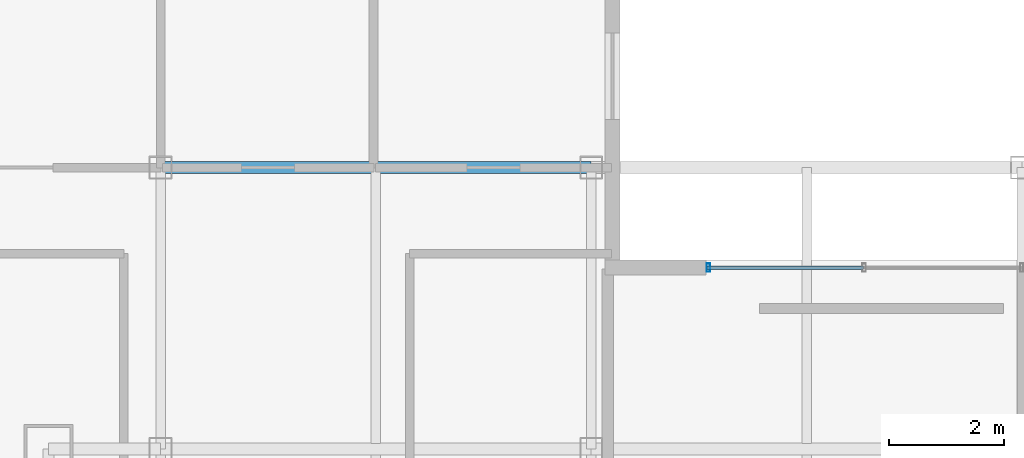
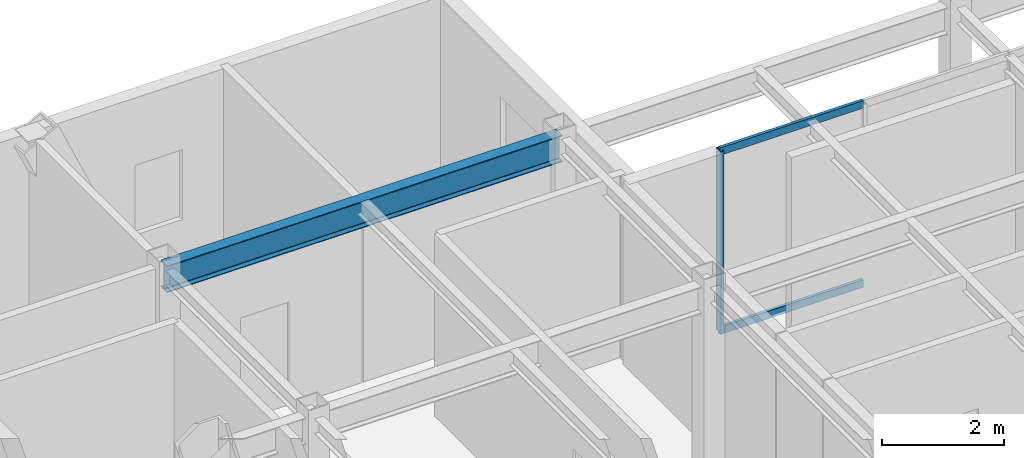
# One storey, part 2 of 10: 3 members, 1 beam, 1 element without a shape of its own.
"""IFC4 building model written with IfcOpenShell, lengths in metres."""

import ifcopenshell
import ifcopenshell.guid

model = None  # the IFC model being written
_history = None  # IfcOwnerHistory: only IFC2X3 demands one
_inside = {}  # id of a spatial element -> (the spatial element, [elements in it])
_under = {}  # id of a project, library or spatial element -> (it, [spatial elements below it])
_declared = {}  # id of a project -> (the project, [libraries it declares])
_typed = {}  # id of a type object -> (the type object, [elements of that type])
_made_of = {}  # id of a material, layer set ... -> (it, [elements and type objects made of it])


def new_model(schema):
    """Start an empty IFC model of exactly this schema.

    Asked for "IFC4X3", IfcOpenShell would pick the latest addendum, in which some entities
    have other attributes; the version numbers below select the first issue.
    IFC2X3 requires an IfcOwnerHistory on every rooted entity: one is made here for all.
    """
    global model, _history
    if schema == "IFC4X3":
        model = ifcopenshell.file(schema_version=(4, 3, 0, 0))
    else:
        model = ifcopenshell.file(schema=schema)
    _inside.clear()
    _under.clear()
    _declared.clear()
    _typed.clear()
    _made_of.clear()
    _history = None
    if model.schema == "IFC2X3":
        org = make("IfcOrganization", Name="unknown")
        user = make(
            "IfcPersonAndOrganization",
            ThePerson=make("IfcPerson", FamilyName="unknown"),
            TheOrganization=org,
        )
        app = make(
            "IfcApplication",
            ApplicationDeveloper=org,
            Version="unknown",
            ApplicationFullName="unknown",
            ApplicationIdentifier="unknown",
        )
        _history = make(
            "IfcOwnerHistory",
            OwningUser=user,
            OwningApplication=app,
            ChangeAction="ADDED",
            CreationDate=0,
        )
    return model


def make(cls, **values):
    """One entity of the class cls with the attributes given. An attribute that is None is left unset."""
    return model.create_entity(
        cls, **{name: value for name, value in values.items() if value is not None}
    )


def rooted(cls, **values):
    """An entity with a GlobalId (a new one), such as an element, a storey or a relation."""
    return make(cls, GlobalId=ifcopenshell.guid.new(), OwnerHistory=_history, **values)


def si_unit(unit_type, name, prefix=None):
    """IfcSIUnit, for example si_unit("LENGTHUNIT", "METRE", prefix="MILLI")."""
    return make("IfcSIUnit", UnitType=unit_type, Prefix=prefix, Name=name)


def assignment(units):
    """IfcUnitAssignment: the units of a project."""
    return None if units is None else make("IfcUnitAssignment", Units=units)


def point(xyz):
    """IfcCartesianPoint."""
    return None if xyz is None else make("IfcCartesianPoint", Coordinates=xyz)


def direction(xyz):
    """IfcDirection."""
    return None if xyz is None else make("IfcDirection", DirectionRatios=xyz)


def frame(location, z_axis=None, x_axis=None):
    """IfcAxis2Placement3D, a coordinate frame: its origin and axes. An axis left out is left unset."""
    return make(
        "IfcAxis2Placement3D",
        Location=point(location),
        Axis=direction(z_axis),
        RefDirection=direction(x_axis),
    )


def frame_2d(location, x_axis=None):
    """IfcAxis2Placement2D, a coordinate frame in the plane: its origin and x axis."""
    return make(
        "IfcAxis2Placement2D", Location=point(location), RefDirection=direction(x_axis)
    )


def origin():
    """The frame at (0, 0, 0) with its axes left unset."""
    return frame((0.0, 0.0, 0.0))


def origin_2d():
    """The frame at (0, 0) in the plane with its x axis left unset."""
    return frame_2d((0.0, 0.0))


def place(relative_to, where):
    """IfcLocalPlacement: puts the frame where relative to a parent placement (None: the world)."""
    return make(
        "IfcLocalPlacement", PlacementRelTo=relative_to, RelativePlacement=where
    )


def context(
    kind, dimensions, precision=None, world=None, true_north=None, identifier=None
):
    """IfcGeometricRepresentationContext, for example the 3D "Model" context."""
    return make(
        "IfcGeometricRepresentationContext",
        ContextIdentifier=identifier,
        ContextType=kind,
        CoordinateSpaceDimension=dimensions,
        Precision=precision,
        WorldCoordinateSystem=world,
        TrueNorth=true_north,
    )


def subcontext(parent, identifier, kind, view, scale=None):
    """IfcGeometricRepresentationSubContext, for example "Body" below "Model"."""
    return make(
        "IfcGeometricRepresentationSubContext",
        ContextIdentifier=identifier,
        ContextType=kind,
        ParentContext=parent,
        TargetScale=scale,
        TargetView=view,
    )


def project(units=None, contexts=None):
    """IfcProject with its units and contexts."""
    return rooted(
        "IfcProject",
        Name="project",
        RepresentationContexts=contexts,
        UnitsInContext=assignment(units),
    )


def spatial(cls, under=None, at=None, **own):
    """A site, building, storey or space (cls), placed at a placement, below another one or the project."""
    s = rooted(cls, ObjectPlacement=at, **own)
    if under is not None:
        _under.setdefault(under.id(), (under, []))[1].append(s)
    return s


def profile(cls, at=None, kind="AREA", **sizes):
    """A parametric profile (cls). Its sizes go by their IFC names, for example OverallWidth=200.0."""
    return make(cls, ProfileType=kind, Position=at, **sizes)


def hollow_rectangle(**sizes):
    """IfcRectangleHollowProfileDef."""
    return profile("IfcRectangleHollowProfileDef", **sizes)


def i_section(**sizes):
    """IfcIShapeProfileDef."""
    return profile("IfcIShapeProfileDef", **sizes)


def extrude(swept, where, along, depth):
    """IfcExtrudedAreaSolid: the profile swept, set in the frame where, extruded along a direction by depth."""
    return make(
        "IfcExtrudedAreaSolid",
        SweptArea=swept,
        Position=where,
        ExtrudedDirection=direction(along),
        Depth=depth,
    )


def shape(context_of_items, identifier, shape_type, items):
    """IfcShapeRepresentation: the items that make up one representation, for example the "Body"."""
    return make(
        "IfcShapeRepresentation",
        ContextOfItems=context_of_items,
        RepresentationIdentifier=identifier,
        RepresentationType=shape_type,
        Items=items,
    )


def material(Name=None, Category=None):
    """IfcMaterial."""
    return make("IfcMaterial", Name=Name, Category=Category)


def material_profile(
    of_material, cross_section, Name=None, Category=None, Priority=None
):
    """IfcMaterialProfile: a cross section and its material."""
    return make(
        "IfcMaterialProfile",
        Name=Name,
        Material=of_material,
        Profile=cross_section,
        Priority=Priority,
        Category=Category,
    )


def profile_set(profiles, Name=None, composite=None):
    """IfcMaterialProfileSet."""
    return make(
        "IfcMaterialProfileSet",
        Name=Name,
        MaterialProfiles=profiles,
        CompositeProfile=composite,
    )


def made_of(thing, what):
    """Note that an element or type object is made of a material, layer set ...; save() writes the relation."""
    if what is not None:
        _made_of.setdefault(what.id(), (what, []))[1].append(thing)
    return thing


def type_object(cls, material=None, **own):
    """A type object (cls), such as IfcWallType, which elements share."""
    return made_of(rooted(cls, **own), material)


def element(
    cls,
    number,
    at=None,
    inside=None,
    cuts=None,
    type_object=None,
    material=None,
    context=None,
    identifier="Body",
    shape_type=None,
    held_by="IfcProductDefinitionShape",
    body=None,
    shapes=None,
    **own,
):
    """One element of the class cls, such as IfcWall. Its Tag is "e" and its number.

    at: its placement. inside: the storey or other place that contains it. cuts: it is an
    opening in that element (IfcRelVoidsElement). A single representation is given by context,
    identifier, shape_type and body (its items); several are given by shapes. held_by: the class
    of the entity that holds the representations. save() writes the other relations.
    """
    e = rooted(cls, Tag="e%d" % number, ObjectPlacement=at, **own)
    if body is not None:
        shapes = [shape(context, identifier, shape_type, body)]
    if shapes is not None:
        e.Representation = make(held_by, Representations=shapes)
    if inside is not None:
        _inside.setdefault(inside.id(), (inside, []))[1].append(e)
    if cuts is not None:
        rooted(
            "IfcRelVoidsElement", RelatingBuildingElement=cuts, RelatedOpeningElement=e
        )
    if type_object is not None:
        _typed.setdefault(type_object.id(), (type_object, []))[1].append(e)
    return made_of(e, material)


def aggregate(whole, parts):
    """IfcRelAggregates: a whole, such as a stair, and the parts it consists of."""
    return rooted("IfcRelAggregates", RelatingObject=whole, RelatedObjects=parts)


def save(model, path):
    """Write the relations noted so far, then the file.

    IfcRelAggregates (storeys below a building ...), IfcRelContainedInSpatialStructure (elements
    in a storey), IfcRelDefinesByType, IfcRelAssociatesMaterial and IfcRelDeclares: one each for
    every whole, place, type object, material and project.
    """
    for whole, parts in _under.values():
        aggregate(whole, parts)
    for where, things in _inside.values():
        rooted(
            "IfcRelContainedInSpatialStructure",
            RelatedElements=things,
            RelatingStructure=where,
        )
    for kind, things in _typed.values():
        rooted("IfcRelDefinesByType", RelatedObjects=things, RelatingType=kind)
    for what, things in _made_of.values():
        rooted("IfcRelAssociatesMaterial", RelatedObjects=things, RelatingMaterial=what)
    for by, libraries in _declared.values():
        rooted("IfcRelDeclares", RelatingContext=by, RelatedDefinitions=libraries)
    model.write(path)


model = new_model("IFC4")

# Units and contexts
model_context = context("Model", 3, precision=1e-05, world=origin(), true_north=direction((0.0, 1.0)))
body_context = subcontext(model_context, "Body", "Model", "MODEL_VIEW")
ifc_project = project(units=[si_unit("LENGTHUNIT", "METRE"), si_unit("AREAUNIT", "SQUARE_METRE"), si_unit("VOLUMEUNIT", "CUBIC_METRE"), si_unit("PLANEANGLEUNIT", "RADIAN"), si_unit("MASSUNIT", "GRAM", prefix="KILO")], contexts=[model_context])

# Site, building, storey
site_placement = place(None, origin())
site = spatial("IfcSite", under=ifc_project, at=site_placement, CompositionType="ELEMENT")
building_placement = place(site_placement, origin())
building = spatial("IfcBuilding", under=site, at=building_placement, Name="Ventersveld Concourse Tower", CompositionType="ELEMENT")
storey_placement = place(building_placement, frame((0.0, 0.0, 313.050048828125)))
storey = spatial("IfcBuildingStorey", under=building, at=storey_placement, Name="L77", CompositionType="ELEMENT", Elevation=313.050048828125)

# Curtain wall, members
ifc_material_1 = material(Name="Anodised aluminium EN AW-6063-T6", Category="aluminium")
curtain_wall_type = type_object("IfcCurtainWallType", Name="CW-SG-4", PredefinedType="NOTDEFINED", material=ifc_material_1)
curtain_wall_placement = place(storey_placement, origin())
curtain_wall = element("IfcCurtainWall", 1, at=curtain_wall_placement, inside=storey, type_object=curtain_wall_type, Name="L77 L77 Sky Garden Recessed Curtain Wall", PredefinedType="NOTDEFINED")
ifc_material_profile_1 = material_profile(ifc_material_1, hollow_rectangle(XDim=0.06005859375, YDim=0.14990234375, WallThickness=0.00390625, at=origin_2d()), Name="ALU 150x60x4")
ifc_profile_set_1 = profile_set([ifc_material_profile_1], Name="Anodised aluminium EN AW-6063-T6")
member_type_1 = type_object("IfcMemberType", Name="CWM-150x65", PredefinedType="MULLION", material=ifc_profile_set_1)
member_1_placement = place(storey_placement, frame((23.2900390625, 26.757568359375, 0.0), z_axis=(0.0, 0.0, 1.0), x_axis=(1.0, 0.0, 0.0)))
member_1 = element("IfcMember", 2, at=member_1_placement, type_object=member_type_1, Name="CW-L77-SG Mullion 01", PredefinedType="MULLION", context=body_context, shape_type="SweptSolid", body=[
    extrude(hollow_rectangle(XDim=0.06005859375, YDim=0.14990234375, WallThickness=0.00390625, at=origin_2d()), origin(), (0.0, 0.0, 1.0), 3.64990234375),
])
ifc_material_profile_2 = material_profile(ifc_material_1, hollow_rectangle(XDim=0.06005859375, YDim=0.14990234375, WallThickness=0.00390625, at=origin_2d()), Name="ALU 150x60x4")
ifc_profile_set_2 = profile_set([ifc_material_profile_2], Name="Anodised aluminium EN AW-6063-T6")
member_type_2 = type_object("IfcMemberType", Name="CWT-150x60", PredefinedType="USERDEFINED", material=ifc_profile_set_2)
member_2_placement = place(storey_placement, frame((23.27001953125, 26.757568359375, 0.030029296875), z_axis=(1.0, 0.0, 0.0), x_axis=(0.0, 1.0, 0.0)))
member_2 = element("IfcMember", 3, at=member_2_placement, type_object=member_type_2, Name="CW-L77-SG Transom 1-01", ObjectType="TRANSOM", PredefinedType="USERDEFINED", context=body_context, shape_type="SweptSolid", body=[
    extrude(hollow_rectangle(XDim=0.06005859375, YDim=0.14990234375, WallThickness=0.00390625, at=origin_2d()), origin(), (0.0, 0.0, 1.0), 2.719970703125),
])
member_3_placement = place(storey_placement, frame((23.27001953125, 26.757568359375, 3.619873046875), z_axis=(1.0, 0.0, 0.0), x_axis=(0.0, 1.0, 0.0)))
member_3 = element("IfcMember", 4, at=member_3_placement, type_object=member_type_2, Name="CW-L77-SG Transom 2-01", ObjectType="TRANSOM", PredefinedType="USERDEFINED", context=body_context, shape_type="SweptSolid", body=[
    extrude(hollow_rectangle(XDim=0.06005859375, YDim=0.14990234375, WallThickness=0.00390625, at=origin_2d()), origin(), (0.0, 0.0, 1.0), 2.719970703125),
])
aggregate(curtain_wall, [member_1, member_2, member_3])

# Beam
ifc_material_2 = material(Name="Structural steel S355J2", Category="steel")
ifc_material_profile_3 = material_profile(ifc_material_2, i_section(OverallWidth=0.209228515625, OverallDepth=0.533203125, WebThickness=0.010009765625, FlangeThickness=0.015625, FilletRadius=0.0126953125, at=origin_2d()), Name="UB 533x210x92")
ifc_profile_set_3 = profile_set([ifc_material_profile_3], Name="Structural steel S355J2")
beam_type = type_object("IfcBeamType", Name="GRD-UB533", PredefinedType="T_BEAM", material=ifc_profile_set_3)
beam_placement = place(storey_placement, frame((13.75, 28.5, 3.38330078125), z_axis=(1.0, 0.0, 0.0), x_axis=(0.0, 1.0, 0.0)))
element("IfcBeam", 5, at=beam_placement, inside=storey, type_object=beam_type, Name="L77 Upper-North E-W Girder Y=28.50 #1", PredefinedType="T_BEAM", context=body_context, shape_type="SweptSolid", body=[
    extrude(i_section(OverallWidth=0.209228515625, OverallDepth=0.533203125, WebThickness=0.010009765625, FlangeThickness=0.015625, FilletRadius=0.0126953125, at=origin_2d()), origin(), (0.0, 0.0, 1.0), 7.5),
])

save(model, "model.ifc")
